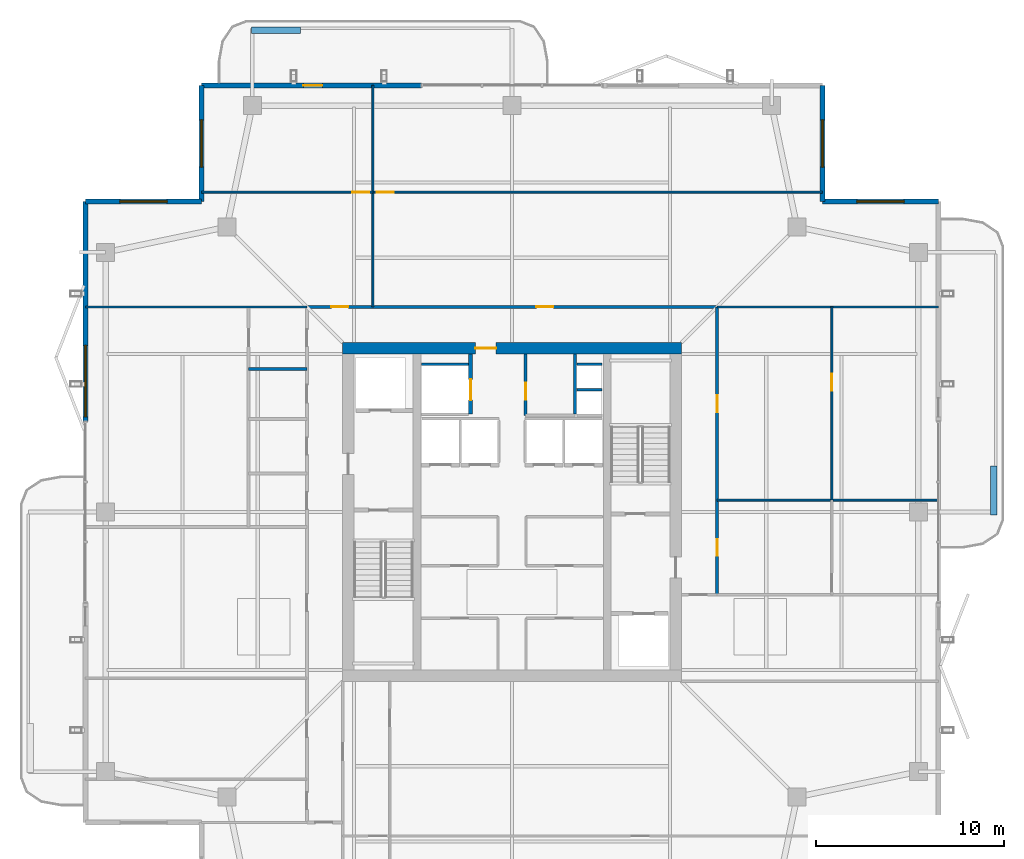
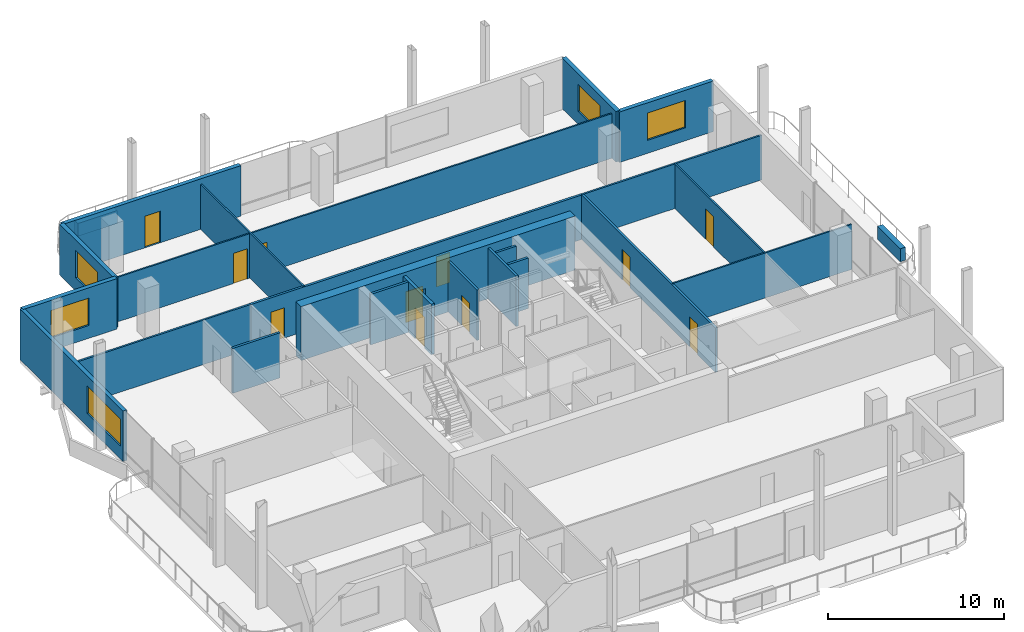
# One storey, part 16 of 20: 25 walls, 11 doors, 5 windows, 16 openings.
"""IFC4 building model written with IfcOpenShell, lengths in metres."""

from ifc_helpers import new_model, si_unit, direction, frame, frame_2d, origin, place, context, subcontext, project, spatial, rectangle, extrude, material, layer, layer_set, type_object, element, fill, save


model = new_model("IFC4")

# Units and contexts
model_context = context("Model", 3, precision=1e-05, world=origin(), true_north=direction((0.0, 1.0)))
body_context = subcontext(model_context, "Body", "Model", "MODEL_VIEW")
ifc_project = project(units=[si_unit("LENGTHUNIT", "METRE"), si_unit("AREAUNIT", "SQUARE_METRE"), si_unit("VOLUMEUNIT", "CUBIC_METRE"), si_unit("PLANEANGLEUNIT", "RADIAN"), si_unit("MASSUNIT", "GRAM", prefix="KILO")], contexts=[model_context])

# Site, building, storey
site_placement = place(None, origin())
site = spatial("IfcSite", under=ifc_project, at=site_placement, CompositionType="ELEMENT")
building_placement = place(site_placement, origin())
building = spatial("IfcBuilding", under=site, at=building_placement, Name="Belovzor Exchange Tower", CompositionType="ELEMENT")
storey_placement = place(building_placement, frame((0.0, 0.0, 321.75)))
storey = spatial("IfcBuildingStorey", under=building, at=storey_placement, Name="L80", CompositionType="ELEMENT", Elevation=321.75)

# Walls
ifc_material_1 = material(Name="Acoustic Plasterboard on Galvanised Studs", Category="gypsum")
ifc_layer_1 = layer(ifc_material_1, 0.1201171875)
ifc_layer_set_1 = layer_set([ifc_layer_1], Name="Acoustic Plasterboard on Galvanised Studs")
wall_type_1 = type_object("IfcWallType", Name="Acoustic Double-Stud Partition Wall 120", PredefinedType="PARTITIONING", material=ifc_layer_set_1)
for number, where, z_axis, x_axis, name in (
    (1, (6.1298828125, 39.699951171875, 0.0), (0.0, 0.0, 1.0), (1.0, 0.0, 0.0), "W-P120 Partition Wall W-L80-END-NW"),
    (2, (39.699951171875, 39.699951171875, 0.0), (0.0, 0.0, 1.0), (1.0, 0.0, 0.0), "W-P120 Partition Wall W-L80-END-NE"),
):
    element("IfcWall", number, at=place(storey_placement, frame(where, z_axis=z_axis, x_axis=x_axis)), inside=storey, type_object=wall_type_1, Name=name, PredefinedType="PARTITIONING", context=body_context, shape_type="SweptSolid", body=[
        extrude(rectangle(XDim=11.77001953125, YDim=0.1201171875, at=frame_2d((5.885009765625, 0.0))), origin(), (0.0, 0.0, 1.0), 3.094970703125),
    ])

# Wall, opening, door
ifc_material_2 = material(Name="Acoustic Laminated Glass and Aluminium", Category="aluminium")
ifc_layer_2 = layer(ifc_material_2, 0.10009765625)
ifc_layer_set_2 = layer_set([ifc_layer_2], Name="Acoustic Laminated Glass and Aluminium")
wall_type_2 = type_object("IfcWallType", Name="Demountable Executive Glass Partition 100", PredefinedType="MOVABLE", material=ifc_layer_set_2)
wall_1_placement = place(storey_placement, frame((12.300048828125, 45.802978515625, 0.0), z_axis=(0.0, 0.0, 1.0), x_axis=(1.0, 0.0, 0.0)))
wall_1 = element("IfcWall", 3, at=wall_1_placement, inside=storey, type_object=wall_type_2, Name="W-M100 Partition Wall W-L80-NHDIV-0", PredefinedType="MOVABLE", context=body_context, shape_type="SweptSolid", body=[
    extrude(rectangle(XDim=9.10400390625, YDim=0.10009765625, at=frame_2d((4.552001953125, 0.0))), origin(), (0.0, 0.0, 1.0), 3.094970703125),
])
opening_1_placement = place(wall_1_placement, frame((8.00390625, 0.0, 0.0)))
opening_1 = element("IfcOpeningElement", 4, at=opening_1_placement, cuts=wall_1, Name="Opening D-INT-090", PredefinedType="OPENING", context=body_context, shape_type="SweptSolid", body=[
    extrude(rectangle(XDim=0.89990234375, YDim=2.10009765625, at=frame_2d((0.449951171875, 1.050048828125))), frame((0.0, 0.06005859375, 0.0), z_axis=(0.0, -1.0, 0.0), x_axis=(1.0, 0.0, 0.0)), (0.0, 0.0, 1.0), 0.1201171875),
])
ifc_material_3 = material(Name="Veneered Hardwood Acoustic Leaf", Category="wood")
door_type_1 = type_object("IfcDoorType", Name="Trading Suite Acoustic Single Door 900x2100", OperationType="NOTDEFINED", PredefinedType="DOOR", material=ifc_material_3)
door_1_placement = place(opening_1_placement, origin())
door_1 = element("IfcDoor", 5, at=door_1_placement, inside=storey, type_object=door_type_1, Name="D-INT-090 Trading Suite Acoustic Single Door 900x2100", OperationType="SINGLE_SWING_RIGHT", OverallHeight=2.10009765625, OverallWidth=0.89990234375, PredefinedType="DOOR", context=body_context, shape_type="SweptSolid", body=[
    extrude(rectangle(XDim=0.89990234375, YDim=2.10009765625, at=frame_2d((0.449951171875, 1.050048828125))), frame((0.0, 0.02490234375, 0.0), z_axis=(0.0, -1.0, 0.0), x_axis=(1.0, 0.0, 0.0)), (0.0, 0.0, 1.0), 0.050048828125),
])
fill(opening_1, door_1)

# Wall
wall_2_placement = place(storey_placement, frame((21.404052734375, 39.699951171875, 0.0), z_axis=(0.0, 0.0, 1.0), x_axis=(0.0, 1.0, 0.0)))
element("IfcWall", 6, at=wall_2_placement, inside=storey, type_object=wall_type_2, Name="W-M100 Partition Wall W-L80-NDIV-1", PredefinedType="MOVABLE", context=body_context, shape_type="SweptSolid", body=[
    extrude(rectangle(XDim=11.77001953125, YDim=0.10009765625, at=frame_2d((5.885009765625, 0.0))), origin(), (0.0, 0.0, 1.0), 3.135009765625),
])

# Wall, opening, door
wall_3_placement = place(storey_placement, frame((21.404052734375, 45.802978515625, 0.0), z_axis=(0.0, 0.0, 1.0), x_axis=(1.0, 0.0, 0.0)))
wall_3 = element("IfcWall", 7, at=wall_3_placement, inside=storey, type_object=wall_type_2, Name="W-M100 Partition Wall W-L80-NHDIV-1", PredefinedType="MOVABLE", context=body_context, shape_type="SweptSolid", body=[
    extrude(rectangle(XDim=23.89599609375, YDim=0.10009765625, at=frame_2d((11.947998046875, 0.0))), origin(), (0.0, 0.0, 1.0), 3.094970703125),
])
opening_2_placement = place(wall_3_placement, frame((0.199951171875, 0.0, 0.0)))
opening_2 = element("IfcOpeningElement", 8, at=opening_2_placement, cuts=wall_3, Name="Opening D-INT-090", PredefinedType="OPENING", context=body_context, shape_type="SweptSolid", body=[
    extrude(rectangle(XDim=0.89990234375, YDim=2.10009765625, at=frame_2d((0.449951171875, 1.050048828125))), frame((0.0, 0.06005859375, 0.0), z_axis=(0.0, -1.0, 0.0), x_axis=(1.0, 0.0, 0.0)), (0.0, 0.0, 1.0), 0.1201171875),
])
door_2_placement = place(opening_2_placement, origin())
door_2 = element("IfcDoor", 9, at=door_2_placement, inside=storey, type_object=door_type_1, Name="D-INT-090 Trading Suite Acoustic Single Door 900x2100", OperationType="SINGLE_SWING_RIGHT", OverallHeight=2.10009765625, OverallWidth=0.89990234375, PredefinedType="DOOR", context=body_context, shape_type="SweptSolid", body=[
    extrude(rectangle(XDim=0.89990234375, YDim=2.10009765625, at=frame_2d((0.449951171875, 1.050048828125))), frame((0.0, 0.02490234375, 0.0), z_axis=(0.0, -1.0, 0.0), x_axis=(1.0, 0.0, 0.0)), (0.0, 0.0, 1.0), 0.050048828125),
])
fill(opening_2, door_2)

# Wall
wall_4_placement = place(storey_placement, frame((39.699951171875, 29.427978515625, 0.0), z_axis=(0.0, 0.0, 1.0), x_axis=(1.0, 0.0, 0.0)))
element("IfcWall", 10, at=wall_4_placement, inside=storey, type_object=wall_type_2, Name="W-M100 Partition Wall W-L80-EDIV-1", PredefinedType="MOVABLE", context=body_context, shape_type="SweptSolid", body=[
    extrude(rectangle(XDim=11.77001953125, YDim=0.10009765625, at=frame_2d((5.885009765625, 0.0))), origin(), (0.0, 0.0, 1.0), 3.135009765625),
])

# Wall, opening, door
wall_5_placement = place(storey_placement, frame((45.802978515625, 29.427978515625, 0.0), z_axis=(0.0, 0.0, 1.0), x_axis=(0.0, 1.0, 0.0)))
wall_5 = element("IfcWall", 11, at=wall_5_placement, inside=storey, type_object=wall_type_2, Name="W-M100 Partition Wall W-L80-EHDIV-1", PredefinedType="MOVABLE", context=body_context, shape_type="SweptSolid", body=[
    extrude(rectangle(XDim=10.27197265625, YDim=0.10009765625, at=frame_2d((5.135986328125, 0.0))), origin(), (0.0, 0.0, 1.0), 3.094970703125),
])
opening_3_placement = place(wall_5_placement, frame((5.80810546875, 0.0, 0.0)))
opening_3 = element("IfcOpeningElement", 12, at=opening_3_placement, cuts=wall_5, Name="Opening D-INT-090", PredefinedType="OPENING", context=body_context, shape_type="SweptSolid", body=[
    extrude(rectangle(XDim=0.89990234375, YDim=2.10009765625, at=frame_2d((0.449951171875, 1.050048828125))), frame((0.0, 0.06005859375, 0.0), z_axis=(0.0, -1.0, 0.0), x_axis=(1.0, 0.0, 0.0)), (0.0, 0.0, 1.0), 0.1201171875),
])
door_3_placement = place(opening_3_placement, origin())
door_3 = element("IfcDoor", 13, at=door_3_placement, inside=storey, type_object=door_type_1, Name="D-INT-090 Trading Suite Acoustic Single Door 900x2100", OperationType="SINGLE_SWING_RIGHT", OverallHeight=2.10009765625, OverallWidth=0.89990234375, PredefinedType="DOOR", context=body_context, shape_type="SweptSolid", body=[
    extrude(rectangle(XDim=0.89990234375, YDim=2.10009765625, at=frame_2d((0.449951171875, 1.050048828125))), frame((0.0, 0.02490234375, 0.0), z_axis=(0.0, -1.0, 0.0), x_axis=(1.0, 0.0, 0.0)), (0.0, 0.0, 1.0), 0.050048828125),
])
fill(opening_3, door_3)

ifc_material_4 = material(Name="Fire-Rated Gypsum Block and Mineral Wool", Category="gypsum")
ifc_layer_3 = layer(ifc_material_4, 0.14990234375)
ifc_layer_set_3 = layer_set([ifc_layer_3], Name="Fire-Rated Gypsum Block and Mineral Wool")
wall_type_3 = type_object("IfcWallType", Name="Fire-Rated Gypsum Block Corridor Wall 150", PredefinedType="PARTITIONING", material=ifc_layer_set_3)
wall_6_placement = place(storey_placement, frame((29.52490234375, 33.925048828125, 0.0), z_axis=(0.0, 0.0, 1.0), x_axis=(0.0, 1.0, 0.0)))
wall_6 = element("IfcWall", 14, at=wall_6_placement, inside=storey, type_object=wall_type_3, Name="W-P150 Partition Wall W-CRV-L80-W", PredefinedType="PARTITIONING", context=body_context, shape_type="SweptSolid", body=[
    extrude(rectangle(XDim=3.27490234375, YDim=0.14990234375, at=frame_2d((1.637451171875, 0.0))), origin(), (0.0, 0.0, 1.0), 3.510009765625),
])
opening_4_placement = place(wall_6_placement, frame((0.85009765625, 0.0, 0.0)))
opening_4 = element("IfcOpeningElement", 15, at=opening_4_placement, cuts=wall_6, Name="Opening D-FD60-090", PredefinedType="OPENING", context=body_context, shape_type="SweptSolid", body=[
    extrude(rectangle(XDim=0.89990234375, YDim=2.10009765625, at=frame_2d((0.449951171875, 1.050048828125))), frame((0.0, 0.0849609375, 0.0), z_axis=(0.0, -1.0, 0.0), x_axis=(1.0, 0.0, 0.0)), (0.0, 0.0, 1.0), 0.169921875),
])
ifc_material_5 = material(Name="Acoustic Timber Fire Leaf", Category="wood")
door_type_2 = type_object("IfcDoorType", Name="Core Service & Restroom Fire Door 900x2100", OperationType="NOTDEFINED", PredefinedType="DOOR", material=ifc_material_5)
door_4_placement = place(opening_4_placement, origin())
door_4 = element("IfcDoor", 16, at=door_4_placement, inside=storey, type_object=door_type_2, Name="D-FD60-090 Core Service & Restroom Fire Door 900x2100", OperationType="SINGLE_SWING_LEFT", OverallHeight=2.10009765625, OverallWidth=0.89990234375, PredefinedType="DOOR", context=body_context, shape_type="SweptSolid", body=[
    extrude(rectangle(XDim=0.89990234375, YDim=2.10009765625, at=frame_2d((0.449951171875, 1.050048828125))), frame((0.0, 0.02490234375, 0.0), z_axis=(0.0, -1.0, 0.0), x_axis=(1.0, 0.0, 0.0)), (0.0, 0.0, 1.0), 0.050048828125),
])
fill(opening_4, door_4)

# Wall
wall_7_placement = place(storey_placement, frame((14.800048828125, 36.39990234375, 0.0), z_axis=(0.0, 0.0, 1.0), x_axis=(1.0, 0.0, 0.0)))
element("IfcWall", 17, at=wall_7_placement, inside=storey, type_object=wall_type_3, Name="W-P150 Partition Wall W-L80-WCN", PredefinedType="PARTITIONING", context=body_context, shape_type="SweptSolid", body=[
    extrude(rectangle(XDim=3.099853515625, YDim=0.14990234375, at=frame_2d((1.5498046875, 0.0))), origin(), (0.0, 0.0, 1.0), 3.135009765625),
])

# Wall, openings, doors
wall_8_placement = place(storey_placement, frame((17.89990234375, 39.699951171875, 0.0), z_axis=(0.0, 0.0, 1.0), x_axis=(1.0, 0.0, 0.0)))
wall_8 = element("IfcWall", 18, at=wall_8_placement, inside=storey, type_object=wall_type_3, Name="W-P150 Partition Wall W-L80-CN", PredefinedType="PARTITIONING", context=body_context, shape_type="SweptSolid", body=[
    extrude(rectangle(XDim=21.800048828125, YDim=0.14990234375, at=frame_2d((10.89990234375, 0.0))), origin(), (0.0, 0.0, 1.0), 3.094970703125),
])
opening_5_placement = place(wall_8_placement, frame((1.302001953125, 0.0, 0.0)))
opening_5 = element("IfcOpeningElement", 19, at=opening_5_placement, cuts=wall_8, Name="Opening D-INT-090", PredefinedType="OPENING", context=body_context, shape_type="SweptSolid", body=[
    extrude(rectangle(XDim=0.89990234375, YDim=2.10009765625, at=frame_2d((0.449951171875, 1.050048828125))), frame((0.0, 0.0849609375, 0.0), z_axis=(0.0, -1.0, 0.0), x_axis=(1.0, 0.0, 0.0)), (0.0, 0.0, 1.0), 0.169921875),
])
opening_6_placement = place(wall_8_placement, frame((12.201904296875, 0.0, 0.0)))
opening_6 = element("IfcOpeningElement", 20, at=opening_6_placement, cuts=wall_8, Name="Opening D-INT-090", PredefinedType="OPENING", context=body_context, shape_type="SweptSolid", body=[
    extrude(rectangle(XDim=0.89990234375, YDim=2.10009765625, at=frame_2d((0.449951171875, 1.050048828125))), frame((0.0, 0.0849609375, 0.0), z_axis=(0.0, -1.0, 0.0), x_axis=(1.0, 0.0, 0.0)), (0.0, 0.0, 1.0), 0.169921875),
])
door_5_placement = place(opening_5_placement, origin())
door_5 = element("IfcDoor", 21, at=door_5_placement, inside=storey, type_object=door_type_1, Name="D-INT-090 Trading Suite Acoustic Single Door 900x2100", OperationType="SINGLE_SWING_RIGHT", OverallHeight=2.10009765625, OverallWidth=0.89990234375, PredefinedType="DOOR", context=body_context, shape_type="SweptSolid", body=[
    extrude(rectangle(XDim=0.89990234375, YDim=2.10009765625, at=frame_2d((0.449951171875, 1.050048828125))), frame((0.0, 0.02490234375, 0.0), z_axis=(0.0, -1.0, 0.0), x_axis=(1.0, 0.0, 0.0)), (0.0, 0.0, 1.0), 0.050048828125),
])
fill(opening_5, door_5)
door_6_placement = place(opening_6_placement, origin())
door_6 = element("IfcDoor", 22, at=door_6_placement, inside=storey, type_object=door_type_1, Name="D-INT-090 Trading Suite Acoustic Single Door 900x2100", OperationType="SINGLE_SWING_LEFT", OverallHeight=2.10009765625, OverallWidth=0.89990234375, PredefinedType="DOOR", context=body_context, shape_type="SweptSolid", body=[
    extrude(rectangle(XDim=0.89990234375, YDim=2.10009765625, at=frame_2d((0.449951171875, 1.050048828125))), frame((0.0, 0.02490234375, 0.0), z_axis=(0.0, -1.0, 0.0), x_axis=(1.0, 0.0, 0.0)), (0.0, 0.0, 1.0), 0.050048828125),
])
fill(opening_6, door_6)

wall_9_placement = place(storey_placement, frame((39.699951171875, 24.39990234375, 0.0), z_axis=(0.0, 0.0, 1.0), x_axis=(0.0, 1.0, 0.0)))
wall_9 = element("IfcWall", 23, at=wall_9_placement, inside=storey, type_object=wall_type_3, Name="W-P150 Partition Wall W-L80-CE", PredefinedType="PARTITIONING", context=body_context, shape_type="SweptSolid", body=[
    extrude(rectangle(XDim=15.300048828125, YDim=0.14990234375, at=frame_2d((7.64990234375, 0.0))), origin(), (0.0, 0.0, 1.0), 3.094970703125),
])
opening_7_placement = place(wall_9_placement, frame((2.06396484375, 0.0, 0.0)))
opening_7 = element("IfcOpeningElement", 24, at=opening_7_placement, cuts=wall_9, Name="Opening D-INT-090", PredefinedType="OPENING", context=body_context, shape_type="SweptSolid", body=[
    extrude(rectangle(XDim=0.89990234375, YDim=2.10009765625, at=frame_2d((0.449951171875, 1.050048828125))), frame((0.0, 0.0849609375, 0.0), z_axis=(0.0, -1.0, 0.0), x_axis=(1.0, 0.0, 0.0)), (0.0, 0.0, 1.0), 0.169921875),
])
opening_8_placement = place(wall_9_placement, frame((9.714111328125, 0.0, 0.0)))
opening_8 = element("IfcOpeningElement", 25, at=opening_8_placement, cuts=wall_9, Name="Opening D-INT-090", PredefinedType="OPENING", context=body_context, shape_type="SweptSolid", body=[
    extrude(rectangle(XDim=0.89990234375, YDim=2.10009765625, at=frame_2d((0.449951171875, 1.050048828125))), frame((0.0, 0.0849609375, 0.0), z_axis=(0.0, -1.0, 0.0), x_axis=(1.0, 0.0, 0.0)), (0.0, 0.0, 1.0), 0.169921875),
])
door_7_placement = place(opening_7_placement, origin())
door_7 = element("IfcDoor", 26, at=door_7_placement, inside=storey, type_object=door_type_1, Name="D-INT-090 Trading Suite Acoustic Single Door 900x2100", OperationType="SINGLE_SWING_RIGHT", OverallHeight=2.10009765625, OverallWidth=0.89990234375, PredefinedType="DOOR", context=body_context, shape_type="SweptSolid", body=[
    extrude(rectangle(XDim=0.89990234375, YDim=2.10009765625, at=frame_2d((0.449951171875, 1.050048828125))), frame((0.0, 0.02490234375, 0.0), z_axis=(0.0, -1.0, 0.0), x_axis=(1.0, 0.0, 0.0)), (0.0, 0.0, 1.0), 0.050048828125),
])
fill(opening_7, door_7)
door_8_placement = place(opening_8_placement, origin())
door_8 = element("IfcDoor", 27, at=door_8_placement, inside=storey, type_object=door_type_1, Name="D-INT-090 Trading Suite Acoustic Single Door 900x2100", OperationType="SINGLE_SWING_LEFT", OverallHeight=2.10009765625, OverallWidth=0.89990234375, PredefinedType="DOOR", context=body_context, shape_type="SweptSolid", body=[
    extrude(rectangle(XDim=0.89990234375, YDim=2.10009765625, at=frame_2d((0.449951171875, 1.050048828125))), frame((0.0, 0.02490234375, 0.0), z_axis=(0.0, -1.0, 0.0), x_axis=(1.0, 0.0, 0.0)), (0.0, 0.0, 1.0), 0.050048828125),
])
fill(opening_8, door_8)

# Wall, opening, window
ifc_material_6 = material(Name="Precast concrete C40/50", Category="concrete")
ifc_layer_4 = layer(ifc_material_6, 0.280029296875)
ifc_layer_set_4 = layer_set([ifc_layer_4], Name="Precast concrete C40/50")
wall_type_4 = type_object("IfcWallType", Name="Precast Concrete Notched Corner Frame Wall 280", PredefinedType="SOLIDWALL", material=ifc_layer_set_4)
wall_10_placement = place(storey_placement, frame((6.1298828125, 45.300048828125, 0.0), z_axis=(0.0, 0.0, 1.0), x_axis=(1.0, 0.0, 0.0)))
wall_10 = element("IfcWall", 28, at=wall_10_placement, inside=storey, type_object=wall_type_4, Name="W-CRN280 Precast Concrete Notched Corner Frame Wall 280 L80", PredefinedType="SOLIDWALL", context=body_context, shape_type="SweptSolid", body=[
    extrude(rectangle(XDim=6.170166015625, YDim=0.280029296875, at=frame_2d((3.0849609375, 0.0))), origin(), (0.0, 0.0, 1.0), 3.510009765625),
])
opening_9_placement = place(wall_10_placement, frame((1.8349609375, 0.0, 0.89990234375)))
opening_9 = element("IfcOpeningElement", 29, at=opening_9_placement, cuts=wall_10, Name="Opening WN-CRN250", PredefinedType="OPENING", context=body_context, shape_type="SweptSolid", body=[
    extrude(rectangle(XDim=2.5, YDim=1.89990234375, at=frame_2d((1.25, 0.949951171875))), frame((0.0, 0.14990234375, 0.0), z_axis=(0.0, -1.0, 0.0), x_axis=(1.0, 0.0, 0.0)), (0.0, 0.0, 1.0), 0.300048828125),
])
ifc_material_7 = material(Name="Thermally Broken Aluminium and Triple Glazing", Category="aluminium")
window_type_1 = type_object("IfcWindowType", Name="Streamline Moderne Corner Wrap Ribbon Window 2500x1900", PartitioningType="SINGLE_PANEL", PredefinedType="WINDOW", material=ifc_material_7)
window_1_placement = place(opening_9_placement, origin())
window_1 = element("IfcWindow", 30, at=window_1_placement, inside=storey, type_object=window_type_1, Name="WN-CRN250 Streamline Moderne Corner Wrap Ribbon Window 2500x1900", OverallHeight=1.89990234375, OverallWidth=2.5, PartitioningType="SINGLE_PANEL", PredefinedType="WINDOW", context=body_context, shape_type="SweptSolid", body=[
    extrude(rectangle(XDim=2.5, YDim=1.89990234375, at=frame_2d((1.25, 0.949951171875))), frame((0.0, 0.030029296875, 0.0), z_axis=(0.0, -1.0, 0.0), x_axis=(1.0, 0.0, 0.0)), (0.0, 0.0, 1.0), 0.06005859375),
])
fill(opening_9, window_1)

wall_11_placement = place(storey_placement, frame((12.300048828125, 45.300048828125, 0.0), z_axis=(0.0, 0.0, 1.0), x_axis=(0.0, 1.0, 0.0)))
wall_11 = element("IfcWall", 31, at=wall_11_placement, inside=storey, type_object=wall_type_4, Name="W-CRN280 Precast Concrete Notched Corner Frame Wall 280 L80", PredefinedType="SOLIDWALL", context=body_context, shape_type="SweptSolid", body=[
    extrude(rectangle(XDim=6.169921875, YDim=0.280029296875, at=frame_2d((3.0849609375, 0.0))), origin(), (0.0, 0.0, 1.0), 3.510009765625),
])
opening_10_placement = place(wall_11_placement, frame((1.8349609375, 0.0, 0.89990234375)))
opening_10 = element("IfcOpeningElement", 32, at=opening_10_placement, cuts=wall_11, Name="Opening WN-CRN250", PredefinedType="OPENING", context=body_context, shape_type="SweptSolid", body=[
    extrude(rectangle(XDim=2.5, YDim=1.89990234375, at=frame_2d((1.25, 0.949951171875))), frame((0.0, 0.14990234375, 0.0), z_axis=(0.0, -1.0, 0.0), x_axis=(1.0, 0.0, 0.0)), (0.0, 0.0, 1.0), 0.300048828125),
])
window_2_placement = place(opening_10_placement, origin())
window_2 = element("IfcWindow", 33, at=window_2_placement, inside=storey, type_object=window_type_1, Name="WN-CRN250 Streamline Moderne Corner Wrap Ribbon Window 2500x1900", OverallHeight=1.89990234375, OverallWidth=2.5, PartitioningType="SINGLE_PANEL", PredefinedType="WINDOW", context=body_context, shape_type="SweptSolid", body=[
    extrude(rectangle(XDim=2.5, YDim=1.89990234375, at=frame_2d((1.25, 0.949951171875))), frame((0.0, 0.030029296875, 0.0), z_axis=(0.0, -1.0, 0.0), x_axis=(1.0, 0.0, 0.0)), (0.0, 0.0, 1.0), 0.06005859375),
])
fill(opening_10, window_2)

wall_12_placement = place(storey_placement, frame((45.300048828125, 51.469970703125, 0.0), z_axis=(0.0, 0.0, 1.0), x_axis=(0.0, -1.0, 0.0)))
wall_12 = element("IfcWall", 34, at=wall_12_placement, inside=storey, type_object=wall_type_4, Name="W-CRN280 Precast Concrete Notched Corner Frame Wall 280 L80", PredefinedType="SOLIDWALL", context=body_context, shape_type="SweptSolid", body=[
    extrude(rectangle(XDim=6.169921875, YDim=0.280029296875, at=frame_2d((3.0849609375, 0.0))), origin(), (0.0, 0.0, 1.0), 3.510009765625),
])
opening_11_placement = place(wall_12_placement, frame((1.8349609375, 0.0, 0.89990234375)))
opening_11 = element("IfcOpeningElement", 35, at=opening_11_placement, cuts=wall_12, Name="Opening WN-CRN250", PredefinedType="OPENING", context=body_context, shape_type="SweptSolid", body=[
    extrude(rectangle(XDim=2.5, YDim=1.89990234375, at=frame_2d((1.25, 0.949951171875))), frame((0.0, 0.14990234375, 0.0), z_axis=(0.0, -1.0, 0.0), x_axis=(1.0, 0.0, 0.0)), (0.0, 0.0, 1.0), 0.300048828125),
])
window_3_placement = place(opening_11_placement, origin())
window_3 = element("IfcWindow", 36, at=window_3_placement, inside=storey, type_object=window_type_1, Name="WN-CRN250 Streamline Moderne Corner Wrap Ribbon Window 2500x1900", OverallHeight=1.89990234375, OverallWidth=2.5, PartitioningType="SINGLE_PANEL", PredefinedType="WINDOW", context=body_context, shape_type="SweptSolid", body=[
    extrude(rectangle(XDim=2.5, YDim=1.89990234375, at=frame_2d((1.25, 0.949951171875))), frame((0.0, 0.030029296875, 0.0), z_axis=(0.0, -1.0, 0.0), x_axis=(1.0, 0.0, 0.0)), (0.0, 0.0, 1.0), 0.06005859375),
])
fill(opening_11, window_3)

wall_13_placement = place(storey_placement, frame((45.300048828125, 45.300048828125, 0.0), z_axis=(0.0, 0.0, 1.0), x_axis=(1.0, 0.0, 0.0)))
wall_13 = element("IfcWall", 37, at=wall_13_placement, inside=storey, type_object=wall_type_4, Name="W-CRN280 Precast Concrete Notched Corner Frame Wall 280 L80", PredefinedType="SOLIDWALL", context=body_context, shape_type="SweptSolid", body=[
    extrude(rectangle(XDim=6.169921875, YDim=0.280029296875, at=frame_2d((3.0849609375, 0.0))), origin(), (0.0, 0.0, 1.0), 3.510009765625),
])
opening_12_placement = place(wall_13_placement, frame((1.8349609375, 0.0, 0.89990234375)))
opening_12 = element("IfcOpeningElement", 38, at=opening_12_placement, cuts=wall_13, Name="Opening WN-CRN250", PredefinedType="OPENING", context=body_context, shape_type="SweptSolid", body=[
    extrude(rectangle(XDim=2.5, YDim=1.89990234375, at=frame_2d((1.25, 0.949951171875))), frame((0.0, 0.14990234375, 0.0), z_axis=(0.0, -1.0, 0.0), x_axis=(1.0, 0.0, 0.0)), (0.0, 0.0, 1.0), 0.300048828125),
])
window_4_placement = place(opening_12_placement, origin())
window_4 = element("IfcWindow", 39, at=window_4_placement, inside=storey, type_object=window_type_1, Name="WN-CRN250 Streamline Moderne Corner Wrap Ribbon Window 2500x1900", OverallHeight=1.89990234375, OverallWidth=2.5, PartitioningType="SINGLE_PANEL", PredefinedType="WINDOW", context=body_context, shape_type="SweptSolid", body=[
    extrude(rectangle(XDim=2.5, YDim=1.89990234375, at=frame_2d((1.25, 0.949951171875))), frame((0.0, 0.030029296875, 0.0), z_axis=(0.0, -1.0, 0.0), x_axis=(1.0, 0.0, 0.0)), (0.0, 0.0, 1.0), 0.06005859375),
])
fill(opening_12, window_4)

# Wall, opening, door
ifc_material_8 = material(Name="Precast concrete C40/50", Category="concrete")
ifc_layer_5 = layer(ifc_material_8, 0.260009765625)
ifc_layer_set_5 = layer_set([ifc_layer_5], Name="Precast concrete C40/50")
wall_type_5 = type_object("IfcWallType", Name="Precast Concrete Perimeter Loggia Frame Wall 260", PredefinedType="SOLIDWALL", material=ifc_layer_set_5)
wall_14_placement = place(storey_placement, frame((12.300048828125, 51.469970703125, 0.0), z_axis=(0.0, 0.0, 1.0), x_axis=(1.0, 0.0, 0.0)))
wall_14 = element("IfcWall", 40, at=wall_14_placement, inside=storey, type_object=wall_type_5, Name="W-EXT260 Precast Concrete Perimeter Loggia Frame Wall 260 L80", PredefinedType="SOLIDWALL", context=body_context, shape_type="SweptSolid", body=[
    extrude(rectangle(XDim=11.699951171875, YDim=0.260009765625, at=frame_2d((5.85009765625, 0.0))), origin(), (0.0, 0.0, 1.0), 3.510009765625),
])
opening_13_placement = place(wall_14_placement, frame((5.416015625, 0.0, 0.0)))
opening_13 = element("IfcOpeningElement", 41, at=opening_13_placement, cuts=wall_14, Name="Opening D-BAL100", PredefinedType="OPENING", context=body_context, shape_type="SweptSolid", body=[
    extrude(rectangle(XDim=1.0, YDim=2.199951171875, at=frame_2d((0.5, 1.10009765625))), frame((0.0, 0.139892578125, 0.0), z_axis=(0.0, -1.0, 0.0), x_axis=(1.0, 0.0, 0.0)), (0.0, 0.0, 1.0), 0.280029296875),
])
ifc_material_9 = material(Name="Thermally Broken Anodised Aluminium and Laminated Glass", Category="aluminium")
door_type_3 = type_object("IfcDoorType", Name="Planted Loggia Terrace Glazed Door 1000x2200", OperationType="SINGLE_SWING_LEFT", PredefinedType="DOOR", material=ifc_material_9)
door_9_placement = place(opening_13_placement, origin())
door_9 = element("IfcDoor", 42, at=door_9_placement, inside=storey, type_object=door_type_3, Name="D-BAL100 Balcony Terrace Door L80 N", OperationType="SINGLE_SWING_RIGHT", OverallHeight=2.199951171875, OverallWidth=1.0, PredefinedType="DOOR", context=body_context, shape_type="SweptSolid", body=[
    extrude(rectangle(XDim=1.0, YDim=2.199951171875, at=frame_2d((0.5, 1.10009765625))), frame((0.0, 0.02490234375, 0.0), z_axis=(0.0, -1.0, 0.0), x_axis=(1.0, 0.0, 0.0)), (0.0, 0.0, 1.0), 0.050048828125),
])
fill(opening_13, door_9)

# Wall, opening, window
wall_15_placement = place(storey_placement, frame((6.1298828125, 33.60009765625, 0.0), z_axis=(0.0, 0.0, 1.0), x_axis=(0.0, 1.0, 0.0)))
wall_15 = element("IfcWall", 43, at=wall_15_placement, inside=storey, type_object=wall_type_5, Name="W-EXT260 Precast Concrete Perimeter Loggia Frame Wall 260 L80", PredefinedType="SOLIDWALL", context=body_context, shape_type="SweptSolid", body=[
    extrude(rectangle(XDim=11.699951171875, YDim=0.260009765625, at=frame_2d((5.85009765625, 0.0))), origin(), (0.0, 0.0, 1.0), 3.510009765625),
])
opening_14_placement = place(wall_15_placement, frame((0.25, 0.0, 0.89990234375)))
opening_14 = element("IfcOpeningElement", 44, at=opening_14_placement, cuts=wall_15, Name="Opening WN-RIB380", PredefinedType="OPENING", context=body_context, shape_type="SweptSolid", body=[
    extrude(rectangle(XDim=3.800048828125, YDim=1.89990234375, at=frame_2d((1.89990234375, 0.949951171875))), frame((0.0, 0.139892578125, 0.0), z_axis=(0.0, -1.0, 0.0), x_axis=(1.0, 0.0, 0.0)), (0.0, 0.0, 1.0), 0.280029296875),
])
ifc_material_10 = material(Name="Thermally Broken Aluminium and Triple Glazing", Category="aluminium")
window_type_2 = type_object("IfcWindowType", Name="Streamline Moderne Horizontal Ribbon Window 3800x1900", PartitioningType="SINGLE_PANEL", PredefinedType="WINDOW", material=ifc_material_10)
window_5_placement = place(opening_14_placement, origin())
window_5 = element("IfcWindow", 45, at=window_5_placement, inside=storey, type_object=window_type_2, Name="WN-RIB380 Streamline Moderne Horizontal Ribbon Window 3800x1900", OverallHeight=1.89990234375, OverallWidth=3.800048828125, PartitioningType="SINGLE_PANEL", PredefinedType="WINDOW", context=body_context, shape_type="SweptSolid", body=[
    extrude(rectangle(XDim=3.800048828125, YDim=1.89990234375, at=frame_2d((1.89990234375, 0.949951171875))), frame((0.0, 0.030029296875, 0.0), z_axis=(0.0, -1.0, 0.0), x_axis=(1.0, 0.0, 0.0)), (0.0, 0.0, 1.0), 0.06005859375),
])
fill(opening_14, window_5)

# Walls
ifc_material_11 = material(Name="Precast concrete C40/50", Category="concrete")
ifc_layer_6 = layer(ifc_material_11, 0.35009765625)
ifc_layer_set_6 = layer_set([ifc_layer_6], Name="Precast concrete C40/50")
wall_type_6 = type_object("IfcWallType", Name="Precast Concrete Structural Tree Planter Trough 350", PredefinedType="PARAPET", material=ifc_layer_set_6)
for number, where, z_axis, x_axis, name in (
    (46, (14.949951171875, 54.39990234375, 0.0), (0.0, 0.0, 1.0), (1.0, 0.0, 0.0), "PT-350 Precast Concrete Structural Tree Planter Trough 350 L80"),
    (47, (54.39990234375, 28.64990234375, 0.0), (0.0, 0.0, 1.0), (0.0, 1.0, 0.0), "PT-350 Precast Concrete Structural Tree Planter Trough 350 L80"),
):
    element("IfcWall", number, at=place(storey_placement, frame(where, z_axis=z_axis, x_axis=x_axis)), inside=storey, type_object=wall_type_6, Name=name, PredefinedType="PARAPET", context=body_context, shape_type="SweptSolid", body=[
        extrude(rectangle(XDim=2.60009765625, YDim=0.35009765625, at=frame_2d((1.300048828125, 0.0))), origin(), (0.0, 0.0, 1.0), 0.89990234375),
    ])
ifc_material_12 = material(Name="Concrete C50/60", Category="concrete")
ifc_layer_7 = layer(ifc_material_12, 0.14990234375)
ifc_layer_set_7 = layer_set([ifc_layer_7], Name="Concrete C50/60")
wall_type_7 = type_object("IfcWallType", Name="Reinforced Concrete Core Riser Shear Wall 150", PredefinedType="SHEAR", material=ifc_layer_set_7)
wall_16_placement = place(storey_placement, frame((32.14990234375, 34.0, 0.0), z_axis=(0.0, 0.0, 1.0), x_axis=(0.0, 1.0, 0.0)))
element("IfcWall", 48, at=wall_16_placement, inside=storey, type_object=wall_type_7, Name="W-C150S Core Shaft Wall W-RSR-L80-E", PredefinedType="SHEAR", context=body_context, shape_type="SweptSolid", body=[
    extrude(rectangle(XDim=3.199951171875, YDim=0.14990234375, at=frame_2d((1.60009765625, 0.0))), origin(), (0.0, 0.0, 1.0), 3.510009765625),
])
wall_17_placement = place(storey_placement, frame((32.25, 35.300048828125, 0.0), z_axis=(0.0, 0.0, 1.0), x_axis=(1.0, 0.0, 0.0)))
element("IfcWall", 49, at=wall_17_placement, inside=storey, type_object=wall_type_7, Name="W-C150S Core Shaft Wall W-RSR-L80-M", PredefinedType="SHEAR", context=body_context, shape_type="SweptSolid", body=[
    extrude(rectangle(XDim=1.330078125, YDim=0.14990234375, at=frame_2d((0.6650390625, 0.0))), origin(), (0.0, 0.0, 1.0), 3.510009765625),
])
wall_18_placement = place(storey_placement, frame((24.0, 36.64990234375, 0.0), z_axis=(0.0, 0.0, 1.0), x_axis=(1.0, 0.0, 0.0)))
element("IfcWall", 50, at=wall_18_placement, inside=storey, type_object=wall_type_7, Name="W-C150S Core Shaft Wall W-SH-L80-SL-01N", PredefinedType="SHEAR", context=body_context, shape_type="SweptSolid", body=[
    extrude(rectangle(XDim=2.47998046875, YDim=0.14990234375, at=frame_2d((1.239990234375, 0.0))), origin(), (0.0, 0.0, 1.0), 3.510009765625),
])
wall_19_placement = place(storey_placement, frame((32.25, 36.64990234375, 0.0), z_axis=(0.0, 0.0, 1.0), x_axis=(1.0, 0.0, 0.0)))
element("IfcWall", 51, at=wall_19_placement, inside=storey, type_object=wall_type_7, Name="W-C150S Core Shaft Wall W-RSR-L80-N", PredefinedType="SHEAR", context=body_context, shape_type="SweptSolid", body=[
    extrude(rectangle(XDim=1.330078125, YDim=0.14990234375, at=frame_2d((0.6650390625, 0.0))), origin(), (0.0, 0.0, 1.0), 3.510009765625),
])

# Wall, opening, door
ifc_material_13 = material(Name="Concrete C50/60", Category="concrete")
ifc_layer_8 = layer(ifc_material_13, 0.199951171875)
ifc_layer_set_8 = layer_set([ifc_layer_8], Name="Concrete C50/60")
wall_type_8 = type_object("IfcWallType", Name="Reinforced Concrete Core Shaft Shear Wall 200", PredefinedType="SHEAR", material=ifc_layer_set_8)
wall_20_placement = place(storey_placement, frame((26.60009765625, 34.0, 0.0), z_axis=(0.0, 0.0, 1.0), x_axis=(0.0, 1.0, 0.0)))
wall_20 = element("IfcWall", 52, at=wall_20_placement, inside=storey, type_object=wall_type_8, Name="W-C200S Core Shaft Wall W-SH-L80-SL-01", PredefinedType="SHEAR", context=body_context, shape_type="SweptSolid", body=[
    extrude(rectangle(XDim=3.199951171875, YDim=0.199951171875, at=frame_2d((1.60009765625, 0.0))), origin(), (0.0, 0.0, 1.0), 3.510009765625),
])
opening_15_placement = place(wall_20_placement, frame((0.75, 0.0, 0.0)))
opening_15 = element("IfcOpeningElement", 53, at=opening_15_placement, cuts=wall_20, Name="Opening LD-110", PredefinedType="OPENING", context=body_context, shape_type="SweptSolid", body=[
    extrude(rectangle(XDim=1.10009765625, YDim=2.14990234375, at=frame_2d((0.550048828125, 1.074951171875))), frame((0.0, 0.10986328125, 0.0), z_axis=(0.0, -1.0, 0.0), x_axis=(1.0, 0.0, 0.0)), (0.0, 0.0, 1.0), 0.219970703125),
])
ifc_material_14 = material(Name="Stainless Steel Grade 304", Category="steel")
door_type_4 = type_object("IfcDoorType", Name="Automated Stainless Steel Lift Landing Door 1100x2150", OperationType="SLIDING_TO_RIGHT", PredefinedType="DOOR", material=ifc_material_14)
door_10_placement = place(opening_15_placement, origin())
door_10 = element("IfcDoor", 54, at=door_10_placement, inside=storey, type_object=door_type_4, Name="LD-110 Automated Stainless Steel Lift Landing Door 1100x2150", OperationType="SLIDING_TO_RIGHT", OverallHeight=2.14990234375, OverallWidth=1.10009765625, PredefinedType="DOOR", context=body_context, shape_type="SweptSolid", body=[
    extrude(rectangle(XDim=1.10009765625, YDim=2.14990234375, at=frame_2d((0.550048828125, 1.074951171875))), frame((0.0, 0.02490234375, 0.0), z_axis=(0.0, -1.0, 0.0), x_axis=(1.0, 0.0, 0.0)), (0.0, 0.0, 1.0), 0.050048828125),
])
fill(opening_15, door_10)

ifc_material_15 = material(Name="Concrete C50/60", Category="concrete")
ifc_layer_9 = layer(ifc_material_15, 0.60009765625)
ifc_layer_set_9 = layer_set([ifc_layer_9], Name="Concrete C50/60")
wall_type_9 = type_object("IfcWallType", Name="Reinforced Concrete Core Shear Wall 600", PredefinedType="SHEAR", material=ifc_layer_set_9)
wall_21_placement = place(storey_placement, frame((19.800048828125, 37.5, 0.0), z_axis=(0.0, 0.0, 1.0), x_axis=(1.0, 0.0, 0.0)))
wall_21 = element("IfcWall", 55, at=wall_21_placement, inside=storey, type_object=wall_type_9, Name="CW-S060 Core Shear Wall L80 N", PredefinedType="SHEAR", context=body_context, shape_type="SweptSolid", body=[
    extrude(rectangle(XDim=18.0, YDim=0.60009765625, at=frame_2d((9.0, 0.0))), origin(), (0.0, 0.0, 1.0), 3.75),
])
opening_16_placement = place(wall_21_placement, frame((7.050048828125, 0.0, 0.0)))
opening_16 = element("IfcOpeningElement", 56, at=opening_16_placement, cuts=wall_21, Name="Opening D-FD90-110", PredefinedType="OPENING", context=body_context, shape_type="SweptSolid", body=[
    extrude(rectangle(XDim=1.10009765625, YDim=2.14990234375, at=frame_2d((0.550048828125, 1.074951171875))), frame((0.0, 0.31005859375, 0.0), z_axis=(0.0, -1.0, 0.0), x_axis=(1.0, 0.0, 0.0)), (0.0, 0.0, 1.0), 0.6201171875),
])
ifc_material_16 = material(Name="Fire-Rated Galvanised Steel Leaf", Category="steel")
door_type_5 = type_object("IfcDoorType", Name="Protected Escape Vestibule Fire Door 1100x2150", OperationType="NOTDEFINED", PredefinedType="DOOR", material=ifc_material_16)
door_11_placement = place(opening_16_placement, origin())
door_11 = element("IfcDoor", 57, at=door_11_placement, inside=storey, type_object=door_type_5, Name="D-FD90-110 Protected Escape Vestibule Fire Door 1100x2150", OperationType="SINGLE_SWING_LEFT", OverallHeight=2.14990234375, OverallWidth=1.10009765625, PredefinedType="DOOR", context=body_context, shape_type="SweptSolid", body=[
    extrude(rectangle(XDim=1.10009765625, YDim=2.14990234375, at=frame_2d((0.550048828125, 1.074951171875))), frame((0.0, 0.02490234375, 0.0), z_axis=(0.0, -1.0, 0.0), x_axis=(1.0, 0.0, 0.0)), (0.0, 0.0, 1.0), 0.050048828125),
])
fill(opening_16, door_11)

save(model, "model.ifc")
